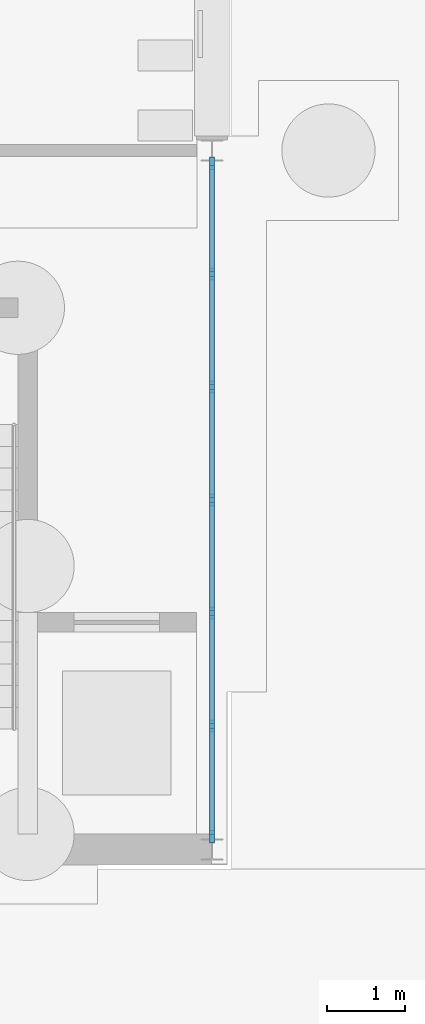
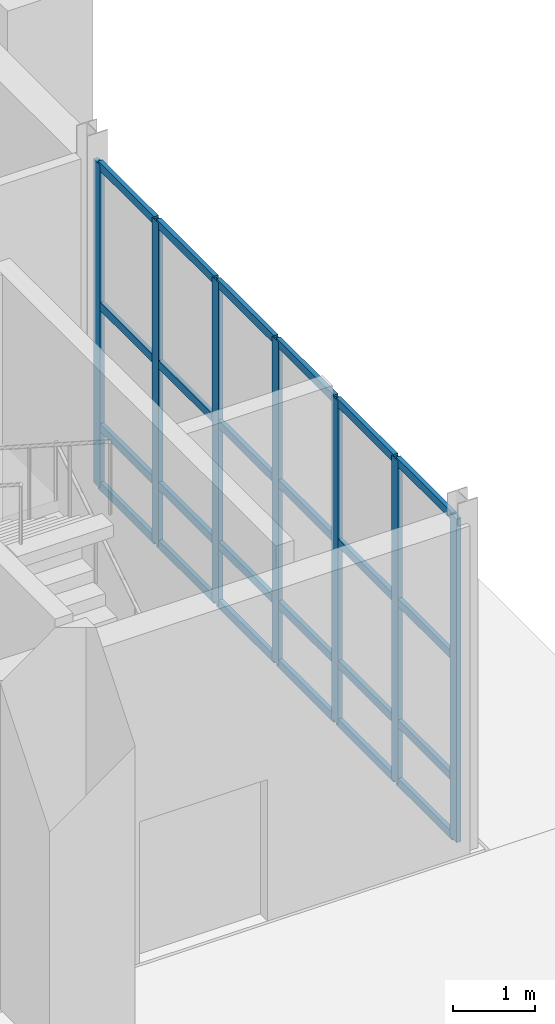
# One storey, part 65 of 168: 31 members, 1 element without a shape of its own.
"""IFC4 building model written with IfcOpenShell, lengths in metres."""

from ifc_helpers import new_model, si_unit, direction, frame, origin, origin_2d, place, context, subcontext, project, spatial, rectangle, extrude, material, layer, layer_set, material_profile, profile_set, type_object, element, aggregate, save


model = new_model("IFC4")

# Units and contexts
model_context = context("Model", 3, precision=1e-05, world=origin(), true_north=direction((0.0, 1.0)))
body_context = subcontext(model_context, "Body", "Model", "MODEL_VIEW")
ifc_project = project(units=[si_unit("LENGTHUNIT", "METRE"), si_unit("AREAUNIT", "SQUARE_METRE"), si_unit("VOLUMEUNIT", "CUBIC_METRE"), si_unit("PLANEANGLEUNIT", "RADIAN"), si_unit("MASSUNIT", "GRAM", prefix="KILO")], contexts=[model_context])

# Site, building, storey
site_placement = place(None, origin())
site = spatial("IfcSite", under=ifc_project, at=site_placement, CompositionType="ELEMENT")
building_placement = place(site_placement, origin())
building = spatial("IfcBuilding", under=site, at=building_placement, Name="Golden Quay Civic Hall", CompositionType="ELEMENT")
storey_placement = place(building_placement, origin())
storey = spatial("IfcBuildingStorey", under=building, at=storey_placement, Name="L00", CompositionType="ELEMENT", Elevation=0.0)

# Curtain wall, members
ifc_material_1 = material(Name="Glass, laminated double glazed", Category="glass")
ifc_layer = layer(ifc_material_1, 0.199951171875)
ifc_layer_set = layer_set([ifc_layer], Name="Glazed core strip curtain wall")
curtain_wall_type = type_object("IfcCurtainWallType", Name="Glazed core strip curtain wall", PredefinedType="NOTDEFINED", material=ifc_layer_set)
curtain_wall_placement = place(storey_placement, origin())
curtain_wall = element("IfcCurtainWall", 1, at=curtain_wall_placement, inside=storey, type_object=curtain_wall_type, Name="Glazed core strip curtain wall L00 13", PredefinedType="NOTDEFINED")
ifc_material_2 = material(Name="Aluminium, anodised", Category="aluminium")
ifc_material_profile_1 = material_profile(ifc_material_2, rectangle(XDim=0.06005859375, YDim=0.159912109375, at=origin_2d()), Name="Aluminium 60 x 160")
ifc_profile_set_1 = profile_set([ifc_material_profile_1], Name="Aluminium, anodised")
member_type_1 = type_object("IfcMemberType", Name="Aluminium mullion 60 x 160", PredefinedType="MULLION", material=ifc_profile_set_1)
member_1_placement = place(storey_placement, frame((171.0, -0.1650390625, 0.0), z_axis=(0.0, 0.0, 1.0), x_axis=(1.0, 0.0, 0.0)))
member_1 = element("IfcMember", 2, at=member_1_placement, type_object=member_type_1, Name="CW2 mullion 1", PredefinedType="MULLION", context=body_context, shape_type="SweptSolid", body=[
    extrude(rectangle(XDim=0.06005859375, YDim=0.159912109375, at=origin_2d()), origin(), (0.0, 0.0, 1.0), 4.800048828125),
])
member_2_placement = place(storey_placement, frame((171.0, -1.590087890625, 0.0), z_axis=(0.0, 0.0, 1.0), x_axis=(1.0, 0.0, 0.0)))
member_2 = element("IfcMember", 3, at=member_2_placement, type_object=member_type_1, Name="CW2 mullion 2", PredefinedType="MULLION", context=body_context, shape_type="SweptSolid", body=[
    extrude(rectangle(XDim=0.06005859375, YDim=0.159912109375, at=origin_2d()), origin(), (0.0, 0.0, 1.0), 4.800048828125),
])
member_3_placement = place(storey_placement, frame((171.0, -3.044921875, 0.0), z_axis=(0.0, 0.0, 1.0), x_axis=(1.0, 0.0, 0.0)))
member_3 = element("IfcMember", 4, at=member_3_placement, type_object=member_type_1, Name="CW2 mullion 3", PredefinedType="MULLION", context=body_context, shape_type="SweptSolid", body=[
    extrude(rectangle(XDim=0.06005859375, YDim=0.159912109375, at=origin_2d()), origin(), (0.0, 0.0, 1.0), 4.800048828125),
])
member_4_placement = place(storey_placement, frame((171.0, -4.5, 0.0), z_axis=(0.0, 0.0, 1.0), x_axis=(1.0, 0.0, 0.0)))
member_4 = element("IfcMember", 5, at=member_4_placement, type_object=member_type_1, Name="CW2 mullion 4", PredefinedType="MULLION", context=body_context, shape_type="SweptSolid", body=[
    extrude(rectangle(XDim=0.06005859375, YDim=0.159912109375, at=origin_2d()), origin(), (0.0, 0.0, 1.0), 4.800048828125),
])
member_5_placement = place(storey_placement, frame((171.0, -5.955078125, 0.0), z_axis=(0.0, 0.0, 1.0), x_axis=(1.0, 0.0, 0.0)))
member_5 = element("IfcMember", 6, at=member_5_placement, type_object=member_type_1, Name="CW2 mullion 5", PredefinedType="MULLION", context=body_context, shape_type="SweptSolid", body=[
    extrude(rectangle(XDim=0.06005859375, YDim=0.159912109375, at=origin_2d()), origin(), (0.0, 0.0, 1.0), 4.800048828125),
])
member_6_placement = place(storey_placement, frame((171.0, -7.409912109375, 0.0), z_axis=(0.0, 0.0, 1.0), x_axis=(1.0, 0.0, 0.0)))
member_6 = element("IfcMember", 7, at=member_6_placement, type_object=member_type_1, Name="CW2 mullion 6", PredefinedType="MULLION", context=body_context, shape_type="SweptSolid", body=[
    extrude(rectangle(XDim=0.06005859375, YDim=0.159912109375, at=origin_2d()), origin(), (0.0, 0.0, 1.0), 4.800048828125),
])
member_7_placement = place(storey_placement, frame((171.0, -8.8349609375, 0.0), z_axis=(0.0, 0.0, 1.0), x_axis=(1.0, 0.0, 0.0)))
member_7 = element("IfcMember", 8, at=member_7_placement, type_object=member_type_1, Name="CW2 mullion 7", PredefinedType="MULLION", context=body_context, shape_type="SweptSolid", body=[
    extrude(rectangle(XDim=0.06005859375, YDim=0.159912109375, at=origin_2d()), origin(), (0.0, 0.0, 1.0), 4.800048828125),
])
ifc_material_3 = material(Name="Aluminium, anodised", Category="aluminium")
ifc_material_profile_2 = material_profile(ifc_material_3, rectangle(XDim=0.06005859375, YDim=0.1201171875, at=origin_2d()), Name="Aluminium 60 x 120")
ifc_profile_set_2 = profile_set([ifc_material_profile_2], Name="Aluminium, anodised")
member_type_2 = type_object("IfcMemberType", Name="Aluminium transom 60 x 120", PredefinedType="USERDEFINED", material=ifc_profile_set_2)
member_8_placement = place(storey_placement, frame((171.0, -0.195068359375, 0.030029296875), z_axis=(0.0, -1.0, 0.0), x_axis=(1.0, 0.0, 0.0)))
member_8 = element("IfcMember", 9, at=member_8_placement, type_object=member_type_2, Name="CW2 transom 1.1", ObjectType="TRANSOM", PredefinedType="USERDEFINED", context=body_context, shape_type="SweptSolid", body=[
    extrude(rectangle(XDim=0.06005859375, YDim=0.1201171875, at=origin_2d()), origin(), (0.0, 0.0, 1.0), 1.364990234375),
])
member_9_placement = place(storey_placement, frame((171.0, -0.195068359375, 0.89990234375), z_axis=(0.0, -1.0, 0.0), x_axis=(1.0, 0.0, 0.0)))
member_9 = element("IfcMember", 10, at=member_9_placement, type_object=member_type_2, Name="CW2 transom 1.2", ObjectType="TRANSOM", PredefinedType="USERDEFINED", context=body_context, shape_type="SweptSolid", body=[
    extrude(rectangle(XDim=0.06005859375, YDim=0.1201171875, at=origin_2d()), origin(), (0.0, 0.0, 1.0), 1.364990234375),
])
member_10_placement = place(storey_placement, frame((171.0, -0.195068359375, 2.699951171875), z_axis=(0.0, -1.0, 0.0), x_axis=(1.0, 0.0, 0.0)))
member_10 = element("IfcMember", 11, at=member_10_placement, type_object=member_type_2, Name="CW2 transom 1.3", ObjectType="TRANSOM", PredefinedType="USERDEFINED", context=body_context, shape_type="SweptSolid", body=[
    extrude(rectangle(XDim=0.06005859375, YDim=0.1201171875, at=origin_2d()), origin(), (0.0, 0.0, 1.0), 1.364990234375),
])
member_11_placement = place(storey_placement, frame((171.0, -0.195068359375, 4.77001953125), z_axis=(0.0, -1.0, 0.0), x_axis=(1.0, 0.0, 0.0)))
member_11 = element("IfcMember", 12, at=member_11_placement, type_object=member_type_2, Name="CW2 transom 1.4", ObjectType="TRANSOM", PredefinedType="USERDEFINED", context=body_context, shape_type="SweptSolid", body=[
    extrude(rectangle(XDim=0.06005859375, YDim=0.1201171875, at=origin_2d()), origin(), (0.0, 0.0, 1.0), 1.364990234375),
])
member_12_placement = place(storey_placement, frame((171.0, -1.6201171875, 0.030029296875), z_axis=(0.0, -1.0, 0.0), x_axis=(1.0, 0.0, 0.0)))
member_12 = element("IfcMember", 13, at=member_12_placement, type_object=member_type_2, Name="CW2 transom 2.1", ObjectType="TRANSOM", PredefinedType="USERDEFINED", context=body_context, shape_type="SweptSolid", body=[
    extrude(rectangle(XDim=0.06005859375, YDim=0.1201171875, at=origin_2d()), origin(), (0.0, 0.0, 1.0), 1.394775390625),
])
member_13_placement = place(storey_placement, frame((171.0, -1.6201171875, 0.89990234375), z_axis=(0.0, -1.0, 0.0), x_axis=(1.0, 0.0, 0.0)))
member_13 = element("IfcMember", 14, at=member_13_placement, type_object=member_type_2, Name="CW2 transom 2.2", ObjectType="TRANSOM", PredefinedType="USERDEFINED", context=body_context, shape_type="SweptSolid", body=[
    extrude(rectangle(XDim=0.06005859375, YDim=0.1201171875, at=origin_2d()), origin(), (0.0, 0.0, 1.0), 1.394775390625),
])
member_14_placement = place(storey_placement, frame((171.0, -1.6201171875, 2.699951171875), z_axis=(0.0, -1.0, 0.0), x_axis=(1.0, 0.0, 0.0)))
member_14 = element("IfcMember", 15, at=member_14_placement, type_object=member_type_2, Name="CW2 transom 2.3", ObjectType="TRANSOM", PredefinedType="USERDEFINED", context=body_context, shape_type="SweptSolid", body=[
    extrude(rectangle(XDim=0.06005859375, YDim=0.1201171875, at=origin_2d()), origin(), (0.0, 0.0, 1.0), 1.394775390625),
])
member_15_placement = place(storey_placement, frame((171.0, -1.6201171875, 4.77001953125), z_axis=(0.0, -1.0, 0.0), x_axis=(1.0, 0.0, 0.0)))
member_15 = element("IfcMember", 16, at=member_15_placement, type_object=member_type_2, Name="CW2 transom 2.4", ObjectType="TRANSOM", PredefinedType="USERDEFINED", context=body_context, shape_type="SweptSolid", body=[
    extrude(rectangle(XDim=0.06005859375, YDim=0.1201171875, at=origin_2d()), origin(), (0.0, 0.0, 1.0), 1.394775390625),
])
member_16_placement = place(storey_placement, frame((171.0, -3.074951171875, 0.030029296875), z_axis=(0.0, -1.0, 0.0), x_axis=(1.0, 0.0, 0.0)))
member_16 = element("IfcMember", 17, at=member_16_placement, type_object=member_type_2, Name="CW2 transom 3.1", ObjectType="TRANSOM", PredefinedType="USERDEFINED", context=body_context, shape_type="SweptSolid", body=[
    extrude(rectangle(XDim=0.06005859375, YDim=0.1201171875, at=origin_2d()), origin(), (0.0, 0.0, 1.0), 1.39501953125),
])
member_17_placement = place(storey_placement, frame((171.0, -3.074951171875, 0.89990234375), z_axis=(0.0, -1.0, 0.0), x_axis=(1.0, 0.0, 0.0)))
member_17 = element("IfcMember", 18, at=member_17_placement, type_object=member_type_2, Name="CW2 transom 3.2", ObjectType="TRANSOM", PredefinedType="USERDEFINED", context=body_context, shape_type="SweptSolid", body=[
    extrude(rectangle(XDim=0.06005859375, YDim=0.1201171875, at=origin_2d()), origin(), (0.0, 0.0, 1.0), 1.39501953125),
])
member_18_placement = place(storey_placement, frame((171.0, -3.074951171875, 2.699951171875), z_axis=(0.0, -1.0, 0.0), x_axis=(1.0, 0.0, 0.0)))
member_18 = element("IfcMember", 19, at=member_18_placement, type_object=member_type_2, Name="CW2 transom 3.3", ObjectType="TRANSOM", PredefinedType="USERDEFINED", context=body_context, shape_type="SweptSolid", body=[
    extrude(rectangle(XDim=0.06005859375, YDim=0.1201171875, at=origin_2d()), origin(), (0.0, 0.0, 1.0), 1.39501953125),
])
member_19_placement = place(storey_placement, frame((171.0, -3.074951171875, 4.77001953125), z_axis=(0.0, -1.0, 0.0), x_axis=(1.0, 0.0, 0.0)))
member_19 = element("IfcMember", 20, at=member_19_placement, type_object=member_type_2, Name="CW2 transom 3.4", ObjectType="TRANSOM", PredefinedType="USERDEFINED", context=body_context, shape_type="SweptSolid", body=[
    extrude(rectangle(XDim=0.06005859375, YDim=0.1201171875, at=origin_2d()), origin(), (0.0, 0.0, 1.0), 1.39501953125),
])
member_20_placement = place(storey_placement, frame((171.0, -4.530029296875, 0.030029296875), z_axis=(0.0, -1.0, 0.0), x_axis=(1.0, 0.0, 0.0)))
member_20 = element("IfcMember", 21, at=member_20_placement, type_object=member_type_2, Name="CW2 transom 4.1", ObjectType="TRANSOM", PredefinedType="USERDEFINED", context=body_context, shape_type="SweptSolid", body=[
    extrude(rectangle(XDim=0.06005859375, YDim=0.1201171875, at=origin_2d()), origin(), (0.0, 0.0, 1.0), 1.39501953125),
])
member_21_placement = place(storey_placement, frame((171.0, -4.530029296875, 0.89990234375), z_axis=(0.0, -1.0, 0.0), x_axis=(1.0, 0.0, 0.0)))
member_21 = element("IfcMember", 22, at=member_21_placement, type_object=member_type_2, Name="CW2 transom 4.2", ObjectType="TRANSOM", PredefinedType="USERDEFINED", context=body_context, shape_type="SweptSolid", body=[
    extrude(rectangle(XDim=0.06005859375, YDim=0.1201171875, at=origin_2d()), origin(), (0.0, 0.0, 1.0), 1.39501953125),
])
member_22_placement = place(storey_placement, frame((171.0, -4.530029296875, 2.699951171875), z_axis=(0.0, -1.0, 0.0), x_axis=(1.0, 0.0, 0.0)))
member_22 = element("IfcMember", 23, at=member_22_placement, type_object=member_type_2, Name="CW2 transom 4.3", ObjectType="TRANSOM", PredefinedType="USERDEFINED", context=body_context, shape_type="SweptSolid", body=[
    extrude(rectangle(XDim=0.06005859375, YDim=0.1201171875, at=origin_2d()), origin(), (0.0, 0.0, 1.0), 1.39501953125),
])
member_23_placement = place(storey_placement, frame((171.0, -4.530029296875, 4.77001953125), z_axis=(0.0, -1.0, 0.0), x_axis=(1.0, 0.0, 0.0)))
member_23 = element("IfcMember", 24, at=member_23_placement, type_object=member_type_2, Name="CW2 transom 4.4", ObjectType="TRANSOM", PredefinedType="USERDEFINED", context=body_context, shape_type="SweptSolid", body=[
    extrude(rectangle(XDim=0.06005859375, YDim=0.1201171875, at=origin_2d()), origin(), (0.0, 0.0, 1.0), 1.39501953125),
])
member_24_placement = place(storey_placement, frame((171.0, -5.985107421875, 0.030029296875), z_axis=(0.0, -1.0, 0.0), x_axis=(1.0, 0.0, 0.0)))
member_24 = element("IfcMember", 25, at=member_24_placement, type_object=member_type_2, Name="CW2 transom 5.1", ObjectType="TRANSOM", PredefinedType="USERDEFINED", context=body_context, shape_type="SweptSolid", body=[
    extrude(rectangle(XDim=0.06005859375, YDim=0.1201171875, at=origin_2d()), origin(), (0.0, 0.0, 1.0), 1.394775390625),
])
member_25_placement = place(storey_placement, frame((171.0, -5.985107421875, 0.89990234375), z_axis=(0.0, -1.0, 0.0), x_axis=(1.0, 0.0, 0.0)))
member_25 = element("IfcMember", 26, at=member_25_placement, type_object=member_type_2, Name="CW2 transom 5.2", ObjectType="TRANSOM", PredefinedType="USERDEFINED", context=body_context, shape_type="SweptSolid", body=[
    extrude(rectangle(XDim=0.06005859375, YDim=0.1201171875, at=origin_2d()), origin(), (0.0, 0.0, 1.0), 1.394775390625),
])
member_26_placement = place(storey_placement, frame((171.0, -5.985107421875, 2.699951171875), z_axis=(0.0, -1.0, 0.0), x_axis=(1.0, 0.0, 0.0)))
member_26 = element("IfcMember", 27, at=member_26_placement, type_object=member_type_2, Name="CW2 transom 5.3", ObjectType="TRANSOM", PredefinedType="USERDEFINED", context=body_context, shape_type="SweptSolid", body=[
    extrude(rectangle(XDim=0.06005859375, YDim=0.1201171875, at=origin_2d()), origin(), (0.0, 0.0, 1.0), 1.394775390625),
])
member_27_placement = place(storey_placement, frame((171.0, -5.985107421875, 4.77001953125), z_axis=(0.0, -1.0, 0.0), x_axis=(1.0, 0.0, 0.0)))
member_27 = element("IfcMember", 28, at=member_27_placement, type_object=member_type_2, Name="CW2 transom 5.4", ObjectType="TRANSOM", PredefinedType="USERDEFINED", context=body_context, shape_type="SweptSolid", body=[
    extrude(rectangle(XDim=0.06005859375, YDim=0.1201171875, at=origin_2d()), origin(), (0.0, 0.0, 1.0), 1.394775390625),
])
member_28_placement = place(storey_placement, frame((171.0, -7.43994140625, 0.030029296875), z_axis=(0.0, -1.0, 0.0), x_axis=(1.0, 0.0, 0.0)))
member_28 = element("IfcMember", 29, at=member_28_placement, type_object=member_type_2, Name="CW2 transom 6.1", ObjectType="TRANSOM", PredefinedType="USERDEFINED", context=body_context, shape_type="SweptSolid", body=[
    extrude(rectangle(XDim=0.06005859375, YDim=0.1201171875, at=origin_2d()), origin(), (0.0, 0.0, 1.0), 1.364990234375),
])
member_29_placement = place(storey_placement, frame((171.0, -7.43994140625, 0.89990234375), z_axis=(0.0, -1.0, 0.0), x_axis=(1.0, 0.0, 0.0)))
member_29 = element("IfcMember", 30, at=member_29_placement, type_object=member_type_2, Name="CW2 transom 6.2", ObjectType="TRANSOM", PredefinedType="USERDEFINED", context=body_context, shape_type="SweptSolid", body=[
    extrude(rectangle(XDim=0.06005859375, YDim=0.1201171875, at=origin_2d()), origin(), (0.0, 0.0, 1.0), 1.364990234375),
])
member_30_placement = place(storey_placement, frame((171.0, -7.43994140625, 2.699951171875), z_axis=(0.0, -1.0, 0.0), x_axis=(1.0, 0.0, 0.0)))
member_30 = element("IfcMember", 31, at=member_30_placement, type_object=member_type_2, Name="CW2 transom 6.3", ObjectType="TRANSOM", PredefinedType="USERDEFINED", context=body_context, shape_type="SweptSolid", body=[
    extrude(rectangle(XDim=0.06005859375, YDim=0.1201171875, at=origin_2d()), origin(), (0.0, 0.0, 1.0), 1.364990234375),
])
member_31_placement = place(storey_placement, frame((171.0, -7.43994140625, 4.77001953125), z_axis=(0.0, -1.0, 0.0), x_axis=(1.0, 0.0, 0.0)))
member_31 = element("IfcMember", 32, at=member_31_placement, type_object=member_type_2, Name="CW2 transom 6.4", ObjectType="TRANSOM", PredefinedType="USERDEFINED", context=body_context, shape_type="SweptSolid", body=[
    extrude(rectangle(XDim=0.06005859375, YDim=0.1201171875, at=origin_2d()), origin(), (0.0, 0.0, 1.0), 1.364990234375),
])
aggregate(curtain_wall, [member_1, member_2, member_3, member_4, member_5, member_6, member_7, member_8, member_9, member_10, member_11, member_12, member_13, member_14, member_15, member_16, member_17, member_18, member_19, member_20, member_21, member_22, member_23, member_24, member_25, member_26, member_27, member_28, member_29, member_30, member_31])

save(model, "model.ifc")
